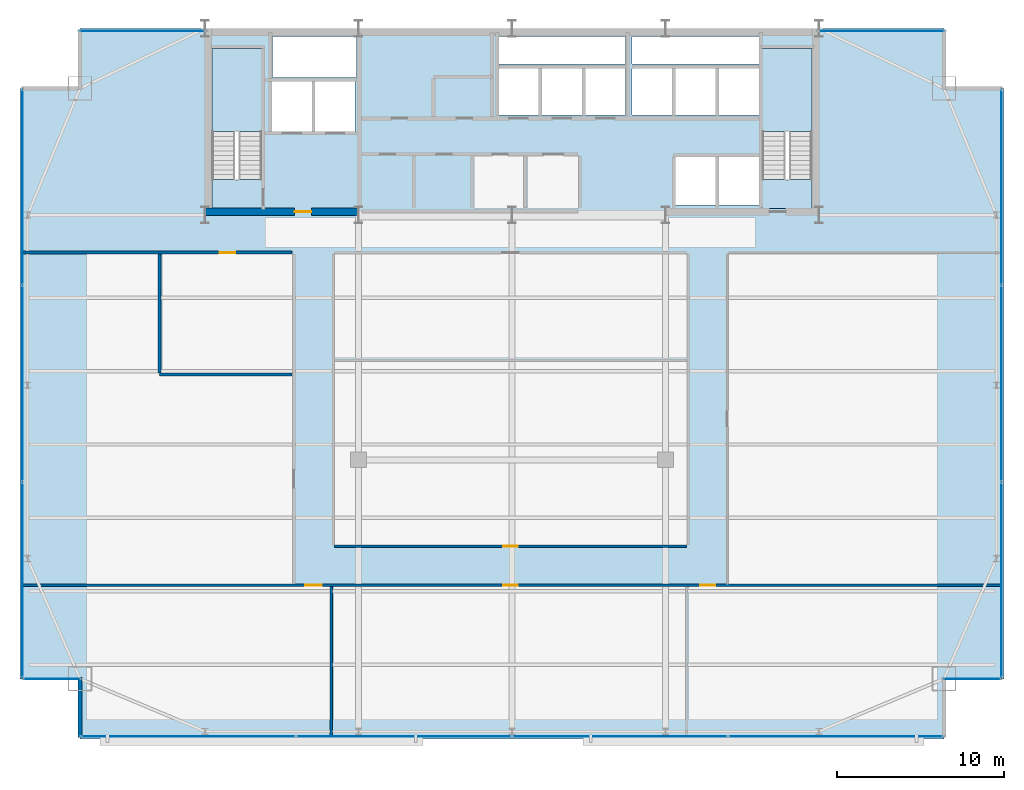
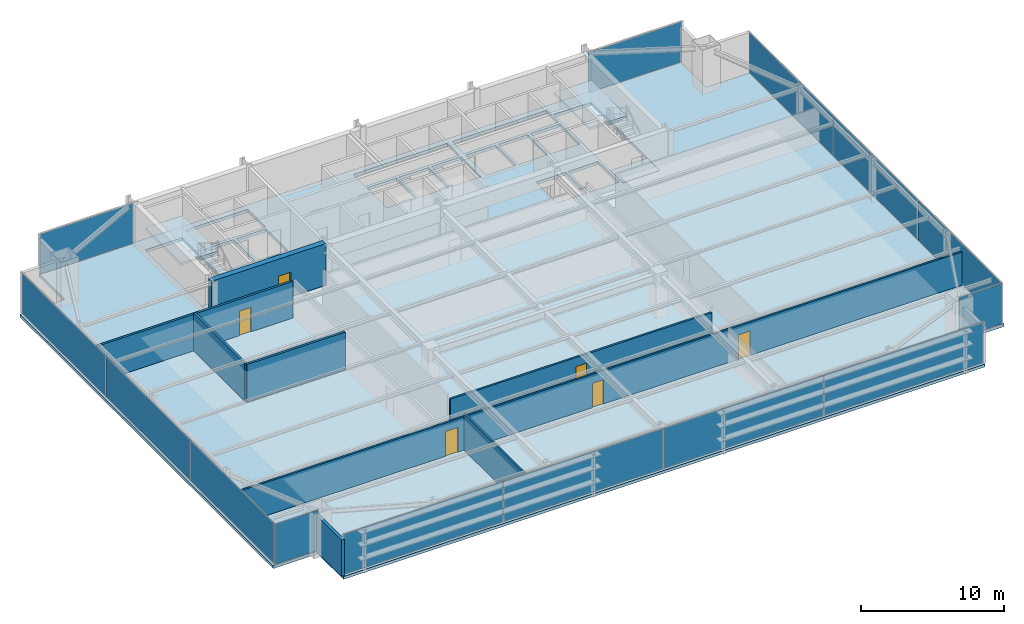
# One storey, part 26 of 30: 14 plates, 8 walls, 6 doors, 5 slabs, 6 openings, 9 elements without a shape of their own.
"""IFC4 building model written with IfcOpenShell, lengths in metres."""

from ifc_helpers import new_model, si_unit, direction, frame, frame_2d, origin, origin_2d, place, context, subcontext, project, spatial, polyline, rectangle, outline, extrude, source, transform, mapped, material, layer, layer_set, type_object, type_shapes, element, fill, aggregate, save


model = new_model("IFC4")

# Units and contexts
model_context = context("Model", 3, precision=1e-05, world=origin(), true_north=direction((0.0, 1.0)))
body_context = subcontext(model_context, "Body", "Model", "MODEL_VIEW")
ifc_project = project(units=[si_unit("LENGTHUNIT", "METRE"), si_unit("AREAUNIT", "SQUARE_METRE"), si_unit("VOLUMEUNIT", "CUBIC_METRE"), si_unit("PLANEANGLEUNIT", "RADIAN"), si_unit("MASSUNIT", "GRAM", prefix="KILO")], contexts=[model_context])

# Site, building, storey
site_placement = place(None, origin())
site = spatial("IfcSite", under=ifc_project, at=site_placement, CompositionType="ELEMENT")
building_placement = place(site_placement, origin())
building = spatial("IfcBuilding", under=site, at=building_placement, Name="Varnel Quay Broadcast Tower", CompositionType="ELEMENT")
storey_placement = place(building_placement, frame((0.0, 0.0, 122.0)))
storey = spatial("IfcBuildingStorey", under=building, at=storey_placement, Name="L29", CompositionType="ELEMENT", Elevation=122.0)

# Slabs
ifc_material_1 = material(Name="Concrete CSA A23.3 C50/60", Category="concrete")
ifc_layer_1 = layer(ifc_material_1, 0.25, Name="Concrete CSA A23.3 C50/60")
ifc_layer_set_1 = layer_set([ifc_layer_1], Name="Concrete CSA A23.3 C50/60")
slab_type_1 = type_object("IfcSlabType", Name="Slab_Floor250", PredefinedType="FLOOR", material=ifc_layer_set_1)
slab_1_placement = place(storey_placement, frame((0.0, 0.0, -0.25)))
element("IfcSlab", 1, at=slab_1_placement, inside=storey, type_object=slab_type_1, Name="L29 Structural Slab", PredefinedType="FLOOR", context=body_context, shape_type="SweptSolid", body=[
    extrude(outline(polyline([(8.10009765625, 4.199951171875), (59.89990234375, 4.199951171875), (59.89990234375, 7.800048828125), (63.5, 7.800048828125), (63.5, 43.199951171875), (59.89990234375, 43.199951171875), (59.89990234375, 46.800048828125), (8.10009765625, 46.800048828125), (8.10009765625, 43.199951171875), (4.5, 43.199951171875), (4.5, 7.800048828125), (8.10009765625, 7.800048828125), (8.10009765625, 4.199951171875)]), holes=[polyline([(19.0, 36.0), (16.0, 36.0), (16.0, 45.60009765625), (19.0, 45.60009765625), (19.0, 36.0)]), polyline([(19.60009765625, 43.60009765625), (22.0, 43.60009765625), (22.0, 40.60009765625), (19.60009765625, 40.60009765625), (19.60009765625, 43.60009765625)]), polyline([(22.199951171875, 43.60009765625), (24.60009765625, 43.60009765625), (24.60009765625, 40.60009765625), (22.199951171875, 40.60009765625), (22.199951171875, 43.60009765625)]), polyline([(33.199951171875, 44.39990234375), (35.60009765625, 44.39990234375), (35.60009765625, 41.60009765625), (33.199951171875, 41.60009765625), (33.199951171875, 44.39990234375)]), polyline([(35.800048828125, 44.39990234375), (38.199951171875, 44.39990234375), (38.199951171875, 41.60009765625), (35.800048828125, 41.60009765625), (35.800048828125, 44.39990234375)]), polyline([(38.39990234375, 44.39990234375), (40.800048828125, 44.39990234375), (40.800048828125, 41.60009765625), (38.39990234375, 41.60009765625), (38.39990234375, 44.39990234375)]), polyline([(19.64990234375, 46.300048828125), (24.679931640625, 46.300048828125), (24.679931640625, 43.85009765625), (19.64990234375, 43.85009765625), (19.64990234375, 46.300048828125)]), polyline([(33.199951171875, 46.300048828125), (40.800048828125, 46.300048828125), (40.800048828125, 44.64990234375), (33.199951171875, 44.64990234375), (33.199951171875, 46.300048828125)]), polyline([(43.800048828125, 39.10009765625), (46.199951171875, 39.10009765625), (46.199951171875, 36.199951171875), (43.800048828125, 36.199951171875), (43.800048828125, 39.10009765625)]), polyline([(46.39990234375, 39.10009765625), (48.800048828125, 39.10009765625), (48.800048828125, 36.199951171875), (46.39990234375, 36.199951171875), (46.39990234375, 39.10009765625)]), polyline([(49.0, 36.0), (49.0, 45.60009765625), (52.0, 45.60009765625), (52.0, 36.0), (49.0, 36.0)]), polyline([(41.199951171875, 44.39990234375), (43.60009765625, 44.39990234375), (43.60009765625, 41.60009765625), (41.199951171875, 41.60009765625), (41.199951171875, 44.39990234375)]), polyline([(43.800048828125, 44.39990234375), (46.199951171875, 44.39990234375), (46.199951171875, 41.60009765625), (43.800048828125, 41.60009765625), (43.800048828125, 44.39990234375)]), polyline([(46.39990234375, 44.39990234375), (48.800048828125, 44.39990234375), (48.800048828125, 41.60009765625), (46.39990234375, 41.60009765625), (46.39990234375, 44.39990234375)]), polyline([(41.199951171875, 46.300048828125), (48.800048828125, 46.300048828125), (48.800048828125, 44.64990234375), (41.199951171875, 44.64990234375), (41.199951171875, 46.300048828125)])]), origin(), (0.0, 0.0, 1.0), 0.25),
])
ifc_layer_2 = layer(ifc_material_1, 0.25, Name="Concrete CSA A23.3 C50/60")
ifc_layer_set_2 = layer_set([ifc_layer_2], Name="Concrete CSA A23.3 C50/60")
slab_type_2 = type_object("IfcSlabType", Name="Slab_StairFloorLanding250", PredefinedType="FLOOR", material=ifc_layer_set_2)
slab_2_placement = place(storey_placement, frame((0.0, 0.0, -0.25)))
element("IfcSlab", 2, at=slab_2_placement, inside=storey, type_object=slab_type_2, Name="L29 ST-01 Structural Floor Landing Slab", PredefinedType="FLOOR", context=body_context, shape_type="SweptSolid", body=[
    extrude(outline(polyline([(19.0, 36.0), (19.0, 37.75), (16.0, 37.75), (16.0, 36.0), (19.0, 36.0)])), origin(), (0.0, 0.0, 1.0), 0.25),
])
slab_3_placement = place(storey_placement, frame((0.0, 0.0, -0.25)))
element("IfcSlab", 3, at=slab_3_placement, inside=storey, type_object=slab_type_2, Name="L29 ST-02 Structural Floor Landing Slab", PredefinedType="FLOOR", context=body_context, shape_type="SweptSolid", body=[
    extrude(outline(polyline([(52.0, 36.0), (52.0, 37.75), (49.0, 37.75), (49.0, 36.0), (52.0, 36.0)])), origin(), (0.0, 0.0, 1.0), 0.25),
])

# Stair, slab
ifc_material_2 = material(Name="Precast Structural Concrete C40/50", Category="concrete")
stair_type_1 = type_object("IfcStairType", Name="Stair_ST-01", PredefinedType="HALF_TURN_STAIR", material=ifc_material_2)
stair_1_placement = place(storey_placement, origin())
stair_1 = element("IfcStair", 4, at=stair_1_placement, inside=storey, type_object=stair_type_1, Name="L29 West Core Exit Stair 1", PredefinedType="HALF_TURN_STAIR")
ifc_layer_3 = layer(ifc_material_2, 0.199951171875, Name="Precast Structural Concrete C40/50")
ifc_layer_set_3 = layer_set([ifc_layer_3], Name="Precast Structural Concrete C40/50")
slab_type_3 = type_object("IfcSlabType", Name="Slab_StairLanding200", PredefinedType="LANDING", material=ifc_layer_set_3)
slab_4_placement = place(storey_placement, frame((0.0, 0.0, 1.699951171875)))
slab_4 = element("IfcSlab", 5, at=slab_4_placement, type_object=slab_type_3, Name="ST-01 landing 1", PredefinedType="LANDING", context=body_context, shape_type="SweptSolid", body=[
    extrude(outline(polyline([(19.0, 40.60009765625), (19.0, 45.60009765625), (16.0, 45.60009765625), (16.0, 40.60009765625), (19.0, 40.60009765625)])), origin(), (0.0, 0.0, 1.0), 0.199951171875),
])
aggregate(stair_1, [slab_4])

stair_type_2 = type_object("IfcStairType", Name="Stair_ST-02", PredefinedType="HALF_TURN_STAIR", material=ifc_material_2)
stair_2_placement = place(storey_placement, origin())
stair_2 = element("IfcStair", 6, at=stair_2_placement, inside=storey, type_object=stair_type_2, Name="L29 East Core Exit Stair 2", PredefinedType="HALF_TURN_STAIR")
slab_5_placement = place(storey_placement, frame((0.0, 0.0, 1.699951171875)))
slab_5 = element("IfcSlab", 7, at=slab_5_placement, type_object=slab_type_3, Name="ST-02 landing 1", PredefinedType="LANDING", context=body_context, shape_type="SweptSolid", body=[
    extrude(outline(polyline([(52.0, 40.60009765625), (52.0, 45.60009765625), (49.0, 45.60009765625), (49.0, 40.60009765625), (52.0, 40.60009765625)])), origin(), (0.0, 0.0, 1.0), 0.199951171875),
])
aggregate(stair_2, [slab_5])

# Curtain wall, plates
ifc_material_3 = material(Name="Anodised Bronze Aluminium 6063-T6", Category="aluminium")
ifc_layer_4 = layer(ifc_material_3, 0.18994140625, Name="Anodised Bronze Aluminium 6063-T6")
ifc_layer_set_4 = layer_set([ifc_layer_4], Name="Anodised Bronze Aluminium 6063-T6")
curtain_wall_type_1 = type_object("IfcCurtainWallType", Name="CW_LowerTower", PredefinedType="NOTDEFINED", material=ifc_layer_set_4)
curtain_wall_1_placement = place(storey_placement, origin())
curtain_wall_1 = element("IfcCurtainWall", 8, at=curtain_wall_1_placement, inside=storey, type_object=curtain_wall_type_1, Name="L29 West Unitised Curtain Wall", PredefinedType="NOTDEFINED")
ifc_material_4 = material(Name="Insulated Bronze Spandrel Glass", Category="glass")
ifc_layer_5 = layer(ifc_material_4, 0.031982421875, Name="Insulated Bronze Spandrel Glass")
ifc_layer_set_5 = layer_set([ifc_layer_5], Name="Insulated Bronze Spandrel Glass")
plate_type_1 = type_object("IfcPlateType", Name="PanelSp_CWS-02", PredefinedType="CURTAIN_PANEL", material=ifc_layer_set_5)
shared_shape_1 = source(origin(), body_context, "Body", "SweptSolid", [
    extrude(rectangle(XDim=11.695068359375, YDim=0.031982421875, at=origin_2d()), origin(), (0.0, 0.0, 1.0), 3.429931640625),
])
plate_1_placement = place(storey_placement, frame((4.64990234375, 13.717529296875, 0.06005859375), z_axis=(0.0, 0.0, 1.0), x_axis=(0.0, 1.0, 0.0)))
plate_1 = element("IfcPlate", 9, at=plate_1_placement, type_object=plate_type_1, Name="CWS-02 panel 1.1", PredefinedType="CURTAIN_PANEL", context=body_context, shape_type="MappedRepresentation", body=[
    mapped(shared_shape_1, transform((0.0, 0.0, 0.0), x_axis=(1.0, 0.0, 0.0), y_axis=(0.0, 1.0, 0.0), z_axis=(0.0, 0.0, 1.0), scale=1.0)),
])
plate_2_placement = place(storey_placement, frame((4.64990234375, 37.282470703125, 0.06005859375), z_axis=(0.0, 0.0, 1.0), x_axis=(0.0, 1.0, 0.0)))
plate_2 = element("IfcPlate", 10, at=plate_2_placement, type_object=plate_type_1, Name="CWS-02 panel 3.1", PredefinedType="CURTAIN_PANEL", context=body_context, shape_type="MappedRepresentation", body=[
    mapped(shared_shape_1, transform((0.0, 0.0, 0.0), x_axis=(1.0, 0.0, 0.0), y_axis=(0.0, 1.0, 0.0), z_axis=(0.0, 0.0, 1.0), scale=1.0)),
])

curtain_wall_2_placement = place(storey_placement, origin())
curtain_wall_2 = element("IfcCurtainWall", 11, at=curtain_wall_2_placement, inside=storey, type_object=curtain_wall_type_1, Name="L29 East Unitised Curtain Wall", PredefinedType="NOTDEFINED")
plate_3_placement = place(storey_placement, frame((63.35009765625, 13.717529296875, 0.06005859375), z_axis=(0.0, 0.0, 1.0), x_axis=(0.0, 1.0, 0.0)))
plate_3 = element("IfcPlate", 12, at=plate_3_placement, type_object=plate_type_1, Name="CWS-02 panel 1.1", PredefinedType="CURTAIN_PANEL", context=body_context, shape_type="MappedRepresentation", body=[
    mapped(shared_shape_1, transform((0.0, 0.0, 0.0), x_axis=(1.0, 0.0, 0.0), y_axis=(0.0, 1.0, 0.0), z_axis=(0.0, 0.0, 1.0), scale=1.0)),
])
plate_4_placement = place(storey_placement, frame((63.35009765625, 37.282470703125, 0.06005859375), z_axis=(0.0, 0.0, 1.0), x_axis=(0.0, 1.0, 0.0)))
plate_4 = element("IfcPlate", 13, at=plate_4_placement, type_object=plate_type_1, Name="CWS-02 panel 3.1", PredefinedType="CURTAIN_PANEL", context=body_context, shape_type="MappedRepresentation", body=[
    mapped(shared_shape_1, transform((0.0, 0.0, 0.0), x_axis=(1.0, 0.0, 0.0), y_axis=(0.0, 1.0, 0.0), z_axis=(0.0, 0.0, 1.0), scale=1.0)),
])

# Plate
shared_shape_2 = source(origin(), body_context, "Body", "SweptSolid", [
    extrude(rectangle(XDim=11.72998046875, YDim=0.031982421875, at=origin_2d()), origin(), (0.0, 0.0, 1.0), 3.429931640625),
])
plate_5_placement = place(storey_placement, frame((4.64990234375, 25.5, 0.06005859375), z_axis=(0.0, 0.0, 1.0), x_axis=(0.0, 1.0, 0.0)))
plate_5 = element("IfcPlate", 14, at=plate_5_placement, type_object=plate_type_1, Name="CWS-02 panel 2.1", PredefinedType="CURTAIN_PANEL", context=body_context, shape_type="MappedRepresentation", body=[
    mapped(shared_shape_2, transform((0.0, 0.0, 0.0), x_axis=(1.0, 0.0, 0.0), y_axis=(0.0, 1.0, 0.0), z_axis=(0.0, 0.0, 1.0), scale=1.0)),
])

aggregate(curtain_wall_1, [plate_1, plate_5, plate_2])

plate_6_placement = place(storey_placement, frame((63.35009765625, 25.5, 0.06005859375), z_axis=(0.0, 0.0, 1.0), x_axis=(0.0, 1.0, 0.0)))
plate_6 = element("IfcPlate", 15, at=plate_6_placement, type_object=plate_type_1, Name="CWS-02 panel 2.1", PredefinedType="CURTAIN_PANEL", context=body_context, shape_type="MappedRepresentation", body=[
    mapped(shared_shape_2, transform((0.0, 0.0, 0.0), x_axis=(1.0, 0.0, 0.0), y_axis=(0.0, 1.0, 0.0), z_axis=(0.0, 0.0, 1.0), scale=1.0)),
])

aggregate(curtain_wall_2, [plate_3, plate_6, plate_4])

# Curtain wall, plate
ifc_layer_6 = layer(ifc_material_3, 0.18994140625, Name="Anodised Bronze Aluminium 6063-T6")
ifc_layer_set_6 = layer_set([ifc_layer_6], Name="Anodised Bronze Aluminium 6063-T6")
curtain_wall_type_2 = type_object("IfcCurtainWallType", Name="CW_NotchCorner", PredefinedType="NOTDEFINED", material=ifc_layer_set_6)
curtain_wall_3_placement = place(storey_placement, origin())
curtain_wall_3 = element("IfcCurtainWall", 16, at=curtain_wall_3_placement, inside=storey, type_object=curtain_wall_type_2, Name="L29 SW Notch Curtain Wall", PredefinedType="NOTDEFINED")
ifc_material_5 = material(Name="Triple-Glazed Bronze Low-E Architectural Glass", Category="glass")
ifc_layer_7 = layer(ifc_material_5, 0.028076171875, Name="Triple-Glazed Bronze Low-E Architectural Glass")
ifc_layer_set_7 = layer_set([ifc_layer_7], Name="Triple-Glazed Bronze Low-E Architectural Glass")
plate_type_2 = type_object("IfcPlateType", Name="Panel_CWS-04", PredefinedType="CURTAIN_PANEL", material=ifc_layer_set_7)
shared_shape_3 = source(origin(), body_context, "Body", "SweptSolid", [
    extrude(rectangle(XDim=3.409912109375, YDim=0.028076171875, at=origin_2d()), origin(), (0.0, 0.0, 1.0), 3.43994140625),
])
type_shapes(plate_type_2, [shared_shape_3])
plate_7_placement = place(storey_placement, frame((6.4150390625, 7.800048828125, 0.054931640625), z_axis=(0.0, 0.0, 1.0), x_axis=(1.0, 0.0, 0.0)))
plate_7 = element("IfcPlate", 17, at=plate_7_placement, type_object=plate_type_2, Name="CWS-04 panel 1.1", PredefinedType="CURTAIN_PANEL", context=body_context, shape_type="MappedRepresentation", body=[
    mapped(shared_shape_3, transform((0.0, 0.0, 0.0), x_axis=(1.0, 0.0, 0.0), y_axis=(0.0, 1.0, 0.0), z_axis=(0.0, 0.0, 1.0), scale=1.0)),
])
aggregate(curtain_wall_3, [plate_7])

curtain_wall_4_placement = place(storey_placement, origin())
curtain_wall_4 = element("IfcCurtainWall", 18, at=curtain_wall_4_placement, inside=storey, type_object=curtain_wall_type_2, Name="L29 SE Notch Curtain Wall", PredefinedType="NOTDEFINED")
plate_8_placement = place(storey_placement, frame((61.5849609375, 7.800048828125, 0.054931640625), z_axis=(0.0, 0.0, 1.0), x_axis=(1.0, 0.0, 0.0)))
plate_8 = element("IfcPlate", 19, at=plate_8_placement, type_object=plate_type_2, Name="CWS-04 panel 1.1", PredefinedType="CURTAIN_PANEL", context=body_context, shape_type="MappedRepresentation", body=[
    mapped(shared_shape_3, transform((0.0, 0.0, 0.0), x_axis=(1.0, 0.0, 0.0), y_axis=(0.0, 1.0, 0.0), z_axis=(0.0, 0.0, 1.0), scale=1.0)),
])
aggregate(curtain_wall_4, [plate_8])

curtain_wall_5_placement = place(storey_placement, origin())
curtain_wall_5 = element("IfcCurtainWall", 20, at=curtain_wall_5_placement, inside=storey, type_object=curtain_wall_type_1, Name="L29 NW Wing Curtain Wall", PredefinedType="NOTDEFINED")
ifc_layer_8 = layer(ifc_material_5, 0.031982421875, Name="Triple-Glazed Bronze Low-E Architectural Glass")
ifc_layer_set_8 = layer_set([ifc_layer_8], Name="Triple-Glazed Bronze Low-E Architectural Glass")
plate_type_3 = type_object("IfcPlateType", Name="Panel_CWS-02", PredefinedType="CURTAIN_PANEL", material=ifc_layer_set_8)
shared_shape_4 = source(origin(), body_context, "Body", "SweptSolid", [
    extrude(rectangle(XDim=7.5400390625, YDim=0.031982421875, at=origin_2d()), origin(), (0.0, 0.0, 1.0), 3.429931640625),
])
plate_9_placement = place(storey_placement, frame((11.860107421875, 46.64990234375, 0.06005859375), z_axis=(0.0, 0.0, 1.0), x_axis=(1.0, 0.0, 0.0)))
plate_9 = element("IfcPlate", 21, at=plate_9_placement, type_object=plate_type_3, Name="CWS-02 panel 1.1", PredefinedType="CURTAIN_PANEL", context=body_context, shape_type="MappedRepresentation", body=[
    mapped(shared_shape_4, transform((0.0, 0.0, 0.0), x_axis=(1.0, 0.0, 0.0), y_axis=(0.0, 1.0, 0.0), z_axis=(0.0, 0.0, 1.0), scale=1.0)),
])
aggregate(curtain_wall_5, [plate_9])

curtain_wall_6_placement = place(storey_placement, origin())
curtain_wall_6 = element("IfcCurtainWall", 22, at=curtain_wall_6_placement, inside=storey, type_object=curtain_wall_type_1, Name="L29 NE Wing Curtain Wall", PredefinedType="NOTDEFINED")
plate_10_placement = place(storey_placement, frame((56.139892578125, 46.64990234375, 0.06005859375), z_axis=(0.0, 0.0, 1.0), x_axis=(1.0, 0.0, 0.0)))
plate_10 = element("IfcPlate", 23, at=plate_10_placement, type_object=plate_type_3, Name="CWS-02 panel 1.1", PredefinedType="CURTAIN_PANEL", context=body_context, shape_type="MappedRepresentation", body=[
    mapped(shared_shape_4, transform((0.0, 0.0, 0.0), x_axis=(1.0, 0.0, 0.0), y_axis=(0.0, 1.0, 0.0), z_axis=(0.0, 0.0, 1.0), scale=1.0)),
])
aggregate(curtain_wall_6, [plate_10])

# Curtain wall, plates
curtain_wall_7_placement = place(storey_placement, origin())
curtain_wall_7 = element("IfcCurtainWall", 24, at=curtain_wall_7_placement, inside=storey, type_object=curtain_wall_type_1, Name="L29 South Unitised Curtain Wall 1", PredefinedType="NOTDEFINED")
shared_shape_5 = source(origin(), body_context, "Body", "SweptSolid", [
    extrude(rectangle(XDim=12.844970703125, YDim=0.031982421875, at=origin_2d()), origin(), (0.0, 0.0, 1.0), 3.429931640625),
])
type_shapes(plate_type_3, [shared_shape_4, shared_shape_5])
plate_11_placement = place(storey_placement, frame((14.592529296875, 4.35009765625, 0.06005859375), z_axis=(0.0, 0.0, 1.0), x_axis=(1.0, 0.0, 0.0)))
plate_11 = element("IfcPlate", 25, at=plate_11_placement, type_object=plate_type_3, Name="CWS-02 panel 1.1", PredefinedType="CURTAIN_PANEL", context=body_context, shape_type="MappedRepresentation", body=[
    mapped(shared_shape_5, transform((0.0, 0.0, 0.0), x_axis=(1.0, 0.0, 0.0), y_axis=(0.0, 1.0, 0.0), z_axis=(0.0, 0.0, 1.0), scale=1.0)),
])
plate_12_placement = place(storey_placement, frame((53.407470703125, 4.35009765625, 0.06005859375), z_axis=(0.0, 0.0, 1.0), x_axis=(1.0, 0.0, 0.0)))
plate_12 = element("IfcPlate", 26, at=plate_12_placement, type_object=plate_type_3, Name="CWS-02 panel 4.1", PredefinedType="CURTAIN_PANEL", context=body_context, shape_type="MappedRepresentation", body=[
    mapped(shared_shape_5, transform((0.0, 0.0, 0.0), x_axis=(1.0, 0.0, 0.0), y_axis=(0.0, 1.0, 0.0), z_axis=(0.0, 0.0, 1.0), scale=1.0)),
])
shared_shape_6 = source(origin(), body_context, "Body", "SweptSolid", [
    extrude(rectangle(XDim=12.8798828125, YDim=0.031982421875, at=origin_2d()), origin(), (0.0, 0.0, 1.0), 3.429931640625),
])
type_shapes(plate_type_1, [shared_shape_1, shared_shape_2, shared_shape_6])
plate_13_placement = place(storey_placement, frame((27.52490234375, 4.35009765625, 0.06005859375), z_axis=(0.0, 0.0, 1.0), x_axis=(1.0, 0.0, 0.0)))
plate_13 = element("IfcPlate", 27, at=plate_13_placement, type_object=plate_type_1, Name="CWS-02 panel 2.1", PredefinedType="CURTAIN_PANEL", context=body_context, shape_type="MappedRepresentation", body=[
    mapped(shared_shape_6, transform((0.0, 0.0, 0.0), x_axis=(1.0, 0.0, 0.0), y_axis=(0.0, 1.0, 0.0), z_axis=(0.0, 0.0, 1.0), scale=1.0)),
])
plate_14_placement = place(storey_placement, frame((40.47509765625, 4.35009765625, 0.06005859375), z_axis=(0.0, 0.0, 1.0), x_axis=(1.0, 0.0, 0.0)))
plate_14 = element("IfcPlate", 28, at=plate_14_placement, type_object=plate_type_1, Name="CWS-02 panel 3.1", PredefinedType="CURTAIN_PANEL", context=body_context, shape_type="MappedRepresentation", body=[
    mapped(shared_shape_6, transform((0.0, 0.0, 0.0), x_axis=(1.0, 0.0, 0.0), y_axis=(0.0, 1.0, 0.0), z_axis=(0.0, 0.0, 1.0), scale=1.0)),
])
aggregate(curtain_wall_7, [plate_11, plate_13, plate_14, plate_12])

# Wall, opening, door
ifc_material_6 = material(Name="Concrete CSA A23.3 C60/75", Category="concrete")
ifc_layer_9 = layer(ifc_material_6, 0.449951171875, Name="Concrete CSA A23.3 C60/75")
ifc_layer_set_9 = layer_set([ifc_layer_9], Name="Concrete CSA A23.3 C60/75")
wall_type_1 = type_object("IfcWallType", Name="Wall_CoreShearInt450", PredefinedType="SHEAR", material=ifc_layer_set_9)
wall_1_placement = place(storey_placement, frame((15.570068359375, 35.794921875, 0.0), z_axis=(0.0, 0.0, 1.0), x_axis=(1.0, 0.0, 0.0)))
wall_1 = element("IfcWall", 29, at=wall_1_placement, inside=storey, type_object=wall_type_1, Name="L29 South-West Core Shear Wall", PredefinedType="SHEAR", context=body_context, shape_type="SweptSolid", body=[
    extrude(rectangle(XDim=9.22998046875, YDim=0.449951171875, at=frame_2d((4.614990234375, 0.0))), origin(), (0.0, 0.0, 1.0), 3.550048828125),
])
opening_1_placement = place(wall_1_placement, frame((5.39990234375, 0.0, 0.0)))
opening_1 = element("IfcOpeningElement", 30, at=opening_1_placement, cuts=wall_1, Name="Opening D-L29-FFL", PredefinedType="OPENING", context=body_context, shape_type="SweptSolid", body=[
    extrude(rectangle(XDim=1.0, YDim=2.10009765625, at=frame_2d((0.5, 1.050048828125))), frame((0.0, 0.23486328125, 0.0), z_axis=(0.0, -1.0, 0.0), x_axis=(1.0, 0.0, 0.0)), (0.0, 0.0, 1.0), 0.469970703125),
])
ifc_material_7 = material(Name="Insulated Fire-Rated Hollow Steel Door", Category="steel")
door_type_1 = type_object("IfcDoorType", Name="Door_FireLobby1000", OperationType="NOTDEFINED", PredefinedType="DOOR", material=ifc_material_7)
shared_shape_7 = source(origin(), body_context, "Body", "SweptSolid", [
    extrude(rectangle(XDim=1.0, YDim=2.10009765625, at=frame_2d((0.5, 1.050048828125))), frame((0.0, 0.02490234375, 0.0), z_axis=(0.0, -1.0, 0.0), x_axis=(1.0, 0.0, 0.0)), (0.0, 0.0, 1.0), 0.050048828125),
])
type_shapes(door_type_1, [shared_shape_7])
door_1_placement = place(opening_1_placement, origin())
door_1 = element("IfcDoor", 31, at=door_1_placement, inside=storey, type_object=door_type_1, Name="L29 Firefighting Lobby Door", OperationType="SINGLE_SWING_RIGHT", OverallHeight=2.10009765625, OverallWidth=1.0, PredefinedType="DOOR", context=body_context, shape_type="MappedRepresentation", body=[
    mapped(shared_shape_7, transform((0.0, 0.0, 0.0), x_axis=(1.0, 0.0, 0.0), y_axis=(0.0, 1.0, 0.0), z_axis=(0.0, 0.0, 1.0), scale=1.0)),
])
fill(opening_1, door_1)

# Walls
ifc_material_8 = material(Name="Precast Architectural Concrete C40/50", Category="concrete")
ifc_layer_10 = layer(ifc_material_8, 0.25, Name="Precast Architectural Concrete C40/50")
ifc_layer_set_10 = layer_set([ifc_layer_10], Name="Precast Architectural Concrete C40/50")
wall_type_2 = type_object("IfcWallType", Name="Wall_ExtTerrace250", PredefinedType="SOLIDWALL", material=ifc_layer_set_10)
wall_2_placement = place(storey_placement, frame((8.10009765625, 4.280029296875, 0.0), z_axis=(0.0, 0.0, 1.0), x_axis=(0.0, 1.0, 0.0)))
element("IfcWall", 32, at=wall_2_placement, inside=storey, type_object=wall_type_2, Name="L29 Mega-Column Notch Cladding Wall NSW2", PredefinedType="SOLIDWALL", context=body_context, shape_type="SweptSolid", body=[
    extrude(rectangle(XDim=3.599853515625, YDim=0.25, at=frame_2d((1.7998046875, 0.0))), origin(), (0.0, 0.0, 1.0), 3.10791015625),
])
ifc_material_9 = material(Name="Steel-Stud Fire-Rated Acoustic Gypsum Partition Assembly", Category="steel")
ifc_layer_11 = layer(ifc_material_9, 0.139892578125, Name="Steel-Stud Fire-Rated Acoustic Gypsum Partition Assembly")
ifc_layer_set_11 = layer_set([ifc_layer_11], Name="Steel-Stud Fire-Rated Acoustic Gypsum Partition Assembly")
wall_type_3 = type_object("IfcWallType", Name="Wall_Partition140", PredefinedType="PARTITIONING", material=ifc_layer_set_11)
wall_3_placement = place(storey_placement, frame((23.169921875, 4.3798828125, 0.0), z_axis=(0.0, 0.0, 1.0), x_axis=(0.0, 1.0, 0.0)))
element("IfcWall", 33, at=wall_3_placement, inside=storey, type_object=wall_type_3, Name="L29 Press Green Lounge 1 Partition 7", PredefinedType="PARTITIONING", context=body_context, shape_type="SweptSolid", body=[
    extrude(rectangle(XDim=8.9501953125, YDim=0.139892578125, at=frame_2d((4.47509765625, 0.0))), origin(), (0.0, 0.0, 1.0), 3.10791015625),
])

# Wall, openings, doors
wall_4_placement = place(storey_placement, frame((4.679931640625, 13.39990234375, 0.0), z_axis=(0.0, 0.0, 1.0), x_axis=(1.0, 0.0, 0.0)))
wall_4 = element("IfcWall", 34, at=wall_4_placement, inside=storey, type_object=wall_type_3, Name="L29 Press Green Lounge 1 Partition 8", PredefinedType="PARTITIONING", context=body_context, shape_type="SweptSolid", body=[
    extrude(rectangle(XDim=58.64013671875, YDim=0.139892578125, at=frame_2d((29.320068359375, 0.0))), origin(), (0.0, 0.0, 1.0), 2.830078125),
])
opening_2_placement = place(wall_4_placement, frame((16.9150390625, 0.0, 0.0)))
opening_2 = element("IfcOpeningElement", 35, at=opening_2_placement, cuts=wall_4, Name="Opening D-L29-05", PredefinedType="OPENING", context=body_context, shape_type="SweptSolid", body=[
    extrude(rectangle(XDim=1.0, YDim=2.10009765625, at=frame_2d((0.5, 1.050048828125))), frame((0.0, 0.080078125, 0.0), z_axis=(0.0, -1.0, 0.0), x_axis=(1.0, 0.0, 0.0)), (0.0, 0.0, 1.0), 0.159912109375),
])
opening_3_placement = place(wall_4_placement, frame((28.794921875, 0.0, 0.0)))
opening_3 = element("IfcOpeningElement", 36, at=opening_3_placement, cuts=wall_4, Name="Opening D-L29-06", PredefinedType="OPENING", context=body_context, shape_type="SweptSolid", body=[
    extrude(rectangle(XDim=0.8798828125, YDim=2.06005859375, at=frame_2d((0.43994140625, 1.030029296875))), frame((0.0, 0.080078125, 0.0), z_axis=(0.0, -1.0, 0.0), x_axis=(1.0, 0.0, 0.0)), (0.0, 0.0, 1.0), 0.159912109375),
])
opening_4_placement = place(wall_4_placement, frame((40.594970703125, 0.0, 0.0)))
opening_4 = element("IfcOpeningElement", 37, at=opening_4_placement, cuts=wall_4, Name="Opening D-L29-07", PredefinedType="OPENING", context=body_context, shape_type="SweptSolid", body=[
    extrude(rectangle(XDim=0.919921875, YDim=2.080078125, at=frame_2d((0.4599609375, 1.0400390625))), frame((0.0, 0.080078125, 0.0), z_axis=(0.0, -1.0, 0.0), x_axis=(1.0, 0.0, 0.0)), (0.0, 0.0, 1.0), 0.159912109375),
])
ifc_material_10 = material(Name="Solid-Core Fire-Rated Acoustic Oak Veneer Door", Category="wood")
door_type_2 = type_object("IfcDoorType", Name="Door_Booth880", OperationType="NOTDEFINED", PredefinedType="DOOR", material=ifc_material_10)
shared_shape_8 = source(origin(), body_context, "Body", "SweptSolid", [
    extrude(rectangle(XDim=0.8798828125, YDim=2.06005859375, at=frame_2d((0.43994140625, 1.030029296875))), frame((0.0, 0.02490234375, 0.0), z_axis=(0.0, -1.0, 0.0), x_axis=(1.0, 0.0, 0.0)), (0.0, 0.0, 1.0), 0.050048828125),
])
type_shapes(door_type_2, [shared_shape_8])
door_2_placement = place(opening_3_placement, frame((0.8798828125, 0.0, 0.0), z_axis=(0.0, 0.0, 1.0), x_axis=(-1.0, 0.0, 0.0)))
door_2 = element("IfcDoor", 38, at=door_2_placement, inside=storey, type_object=door_type_2, Name="L29 Camera Locker Store 2 Door D-L29-06", OperationType="SINGLE_SWING_LEFT", OverallHeight=2.06005859375, OverallWidth=0.8798828125, PredefinedType="DOOR", context=body_context, shape_type="MappedRepresentation", body=[
    mapped(shared_shape_8, transform((0.0, 0.0, 0.0), x_axis=(1.0, 0.0, 0.0), y_axis=(0.0, 1.0, 0.0), z_axis=(0.0, 0.0, 1.0), scale=1.0)),
])
fill(opening_3, door_2)
door_type_3 = type_object("IfcDoorType", Name="Door_Office920", OperationType="NOTDEFINED", PredefinedType="DOOR", material=ifc_material_10)
shared_shape_9 = source(origin(), body_context, "Body", "SweptSolid", [
    extrude(rectangle(XDim=0.919921875, YDim=2.080078125, at=frame_2d((0.4599609375, 1.0400390625))), frame((0.0, 0.02490234375, 0.0), z_axis=(0.0, -1.0, 0.0), x_axis=(1.0, 0.0, 0.0)), (0.0, 0.0, 1.0), 0.050048828125),
])
type_shapes(door_type_3, [shared_shape_9])
door_3_placement = place(opening_4_placement, frame((0.919921875, 0.0, 0.0), z_axis=(0.0, 0.0, 1.0), x_axis=(-1.0, 0.0, 0.0)))
door_3 = element("IfcDoor", 39, at=door_3_placement, inside=storey, type_object=door_type_3, Name="L29 Broadcast Newsroom 3 Door D-L29-07", OperationType="SINGLE_SWING_RIGHT", OverallHeight=2.080078125, OverallWidth=0.919921875, PredefinedType="DOOR", context=body_context, shape_type="MappedRepresentation", body=[
    mapped(shared_shape_9, transform((0.0, 0.0, 0.0), x_axis=(1.0, 0.0, 0.0), y_axis=(0.0, 1.0, 0.0), z_axis=(0.0, 0.0, 1.0), scale=1.0)),
])
fill(opening_4, door_3)
door_type_4 = type_object("IfcDoorType", Name="Door_Exec1000", OperationType="NOTDEFINED", PredefinedType="DOOR", material=ifc_material_10)
shared_shape_10 = source(origin(), body_context, "Body", "SweptSolid", [
    extrude(rectangle(XDim=1.0, YDim=2.10009765625, at=frame_2d((0.5, 1.050048828125))), frame((0.0, 0.02490234375, 0.0), z_axis=(0.0, -1.0, 0.0), x_axis=(1.0, 0.0, 0.0)), (0.0, 0.0, 1.0), 0.050048828125),
])
type_shapes(door_type_4, [shared_shape_10])
door_4_placement = place(opening_2_placement, frame((1.0, 0.0, 0.0), z_axis=(0.0, 0.0, 1.0), x_axis=(-1.0, 0.0, 0.0)))
door_4 = element("IfcDoor", 40, at=door_4_placement, inside=storey, type_object=door_type_4, Name="L29 Press Green Lounge 1 Door D-L29-05", OperationType="SINGLE_SWING_RIGHT", OverallHeight=2.10009765625, OverallWidth=1.0, PredefinedType="DOOR", context=body_context, shape_type="MappedRepresentation", body=[
    mapped(shared_shape_10, transform((0.0, 0.0, 0.0), x_axis=(1.0, 0.0, 0.0), y_axis=(0.0, 1.0, 0.0), z_axis=(0.0, 0.0, 1.0), scale=1.0)),
])
fill(opening_2, door_4)

# Wall, opening, door
ifc_layer_12 = layer(ifc_material_9, 0.14990234375, Name="Steel-Stud Fire-Rated Acoustic Gypsum Partition Assembly")
ifc_layer_set_12 = layer_set([ifc_layer_12], Name="Steel-Stud Fire-Rated Acoustic Gypsum Partition Assembly")
wall_type_4 = type_object("IfcWallType", Name="Wall_Partition150", PredefinedType="PARTITIONING", material=ifc_layer_set_12)
wall_5_placement = place(storey_placement, frame((23.3701171875, 15.75, 0.0), z_axis=(0.0, 0.0, 1.0), x_axis=(1.0, 0.0, 0.0)))
wall_5 = element("IfcWall", 41, at=wall_5_placement, inside=storey, type_object=wall_type_4, Name="L29 Break Kitchen 6 Partition 14", PredefinedType="PARTITIONING", context=body_context, shape_type="SweptSolid", body=[
    extrude(rectangle(XDim=21.08984375, YDim=0.14990234375, at=frame_2d((10.544921875, 0.0))), origin(), (0.0, 0.0, 1.0), 2.830078125),
])
opening_5_placement = place(wall_5_placement, frame((10.10498046875, 0.0, 0.0)))
opening_5 = element("IfcOpeningElement", 42, at=opening_5_placement, cuts=wall_5, Name="Opening D-L29-10", PredefinedType="OPENING", context=body_context, shape_type="SweptSolid", body=[
    extrude(rectangle(XDim=0.8798828125, YDim=2.06005859375, at=frame_2d((0.43994140625, 1.030029296875))), frame((0.0, 0.0849609375, 0.0), z_axis=(0.0, -1.0, 0.0), x_axis=(1.0, 0.0, 0.0)), (0.0, 0.0, 1.0), 0.169921875),
])
door_5_placement = place(opening_5_placement, origin())
door_5 = element("IfcDoor", 43, at=door_5_placement, inside=storey, type_object=door_type_2, Name="L29 Break Kitchen 6 Door D-L29-10", OperationType="SINGLE_SWING_LEFT", OverallHeight=2.06005859375, OverallWidth=0.8798828125, PredefinedType="DOOR", context=body_context, shape_type="MappedRepresentation", body=[
    mapped(shared_shape_8, transform((0.0, 0.0, 0.0), x_axis=(1.0, 0.0, 0.0), y_axis=(0.0, 1.0, 0.0), z_axis=(0.0, 0.0, 1.0), scale=1.0)),
])
fill(opening_5, door_5)

# Walls
ifc_layer_13 = layer(ifc_material_9, 0.175048828125, Name="Steel-Stud Fire-Rated Acoustic Gypsum Partition Assembly")
ifc_layer_set_13 = layer_set([ifc_layer_13], Name="Steel-Stud Fire-Rated Acoustic Gypsum Partition Assembly")
wall_type_5 = type_object("IfcWallType", Name="Wall_Partition175", PredefinedType="PARTITIONING", material=ifc_layer_set_13)
wall_6_placement = place(storey_placement, frame((12.8701171875, 26.0400390625, 0.0), z_axis=(0.0, 0.0, 1.0), x_axis=(1.0, 0.0, 0.0)))
element("IfcWall", 44, at=wall_6_placement, inside=storey, type_object=wall_type_5, Name="L29 Editorial Boardroom 4 Partition 11", PredefinedType="PARTITIONING", context=body_context, shape_type="SweptSolid", body=[
    extrude(rectangle(XDim=7.949951171875, YDim=0.175048828125, at=frame_2d((3.97509765625, 0.0))), origin(), (0.0, 0.0, 1.0), 3.221923828125),
])
wall_7_placement = place(storey_placement, frame((12.8701171875, 26.126953125, 0.0), z_axis=(0.0, 0.0, 1.0), x_axis=(0.0, 1.0, 0.0)))
element("IfcWall", 45, at=wall_7_placement, inside=storey, type_object=wall_type_5, Name="L29 Editorial Boardroom 4 Partition 12", PredefinedType="PARTITIONING", context=body_context, shape_type="SweptSolid", body=[
    extrude(rectangle(XDim=7.135986328125, YDim=0.175048828125, at=frame_2d((3.56787109375, 0.0))), origin(), (0.0, 0.0, 1.0), 3.221923828125),
])

# Wall, opening, door
wall_8_placement = place(storey_placement, frame((4.679931640625, 33.35009765625, 0.0), z_axis=(0.0, 0.0, 1.0), x_axis=(1.0, 0.0, 0.0)))
wall_8 = element("IfcWall", 46, at=wall_8_placement, inside=storey, type_object=wall_type_5, Name="L29 Editorial Boardroom 4 Partition 13", PredefinedType="PARTITIONING", context=body_context, shape_type="SweptSolid", body=[
    extrude(rectangle(XDim=16.14013671875, YDim=0.175048828125, at=frame_2d((8.070068359375, 0.0))), origin(), (0.0, 0.0, 1.0), 3.10791015625),
])
opening_6_placement = place(wall_8_placement, frame((11.804931640625, 0.0, 0.0)))
opening_6 = element("IfcOpeningElement", 47, at=opening_6_placement, cuts=wall_8, Name="Opening D-L29-09", PredefinedType="OPENING", context=body_context, shape_type="SweptSolid", body=[
    extrude(rectangle(XDim=0.919921875, YDim=2.080078125, at=frame_2d((0.4599609375, 1.0400390625))), frame((0.0, 0.09765625, 0.0), z_axis=(0.0, -1.0, 0.0), x_axis=(1.0, 0.0, 0.0)), (0.0, 0.0, 1.0), 0.195068359375),
])
door_6_placement = place(opening_6_placement, frame((0.919921875, 0.0, 0.0), z_axis=(0.0, 0.0, 1.0), x_axis=(-1.0, 0.0, 0.0)))
door_6 = element("IfcDoor", 48, at=door_6_placement, inside=storey, type_object=door_type_3, Name="L29 Broadcast Newsroom 5 Door D-L29-09", OperationType="SINGLE_SWING_RIGHT", OverallHeight=2.080078125, OverallWidth=0.919921875, PredefinedType="DOOR", context=body_context, shape_type="MappedRepresentation", body=[
    mapped(shared_shape_9, transform((0.0, 0.0, 0.0), x_axis=(1.0, 0.0, 0.0), y_axis=(0.0, 1.0, 0.0), z_axis=(0.0, 0.0, 1.0), scale=1.0)),
])
fill(opening_6, door_6)

save(model, "model.ifc")
